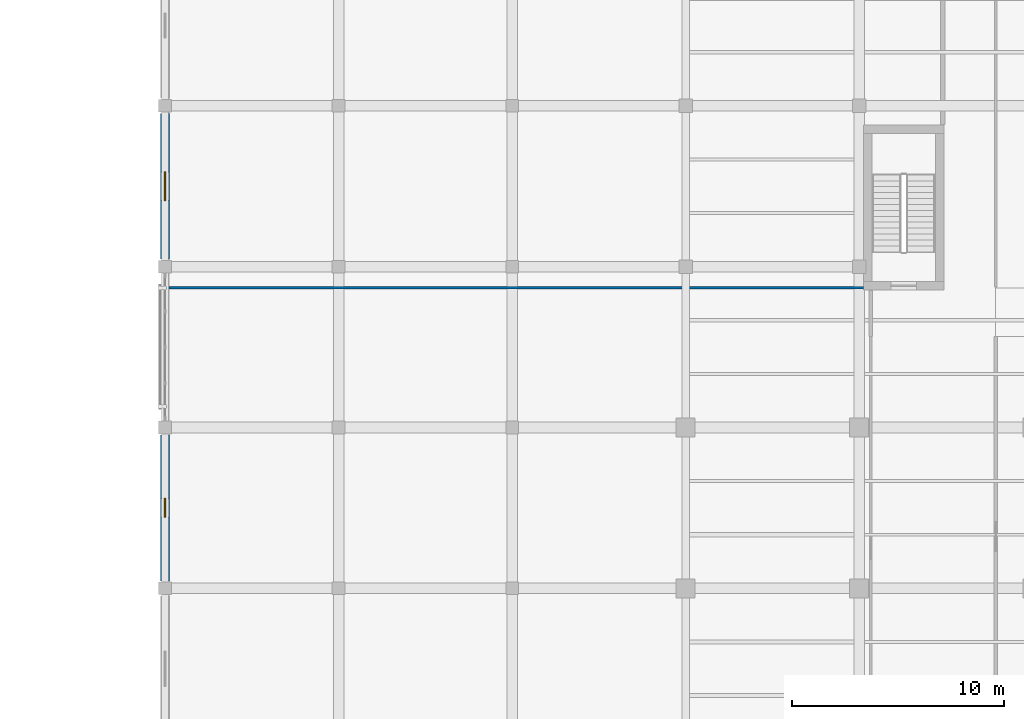
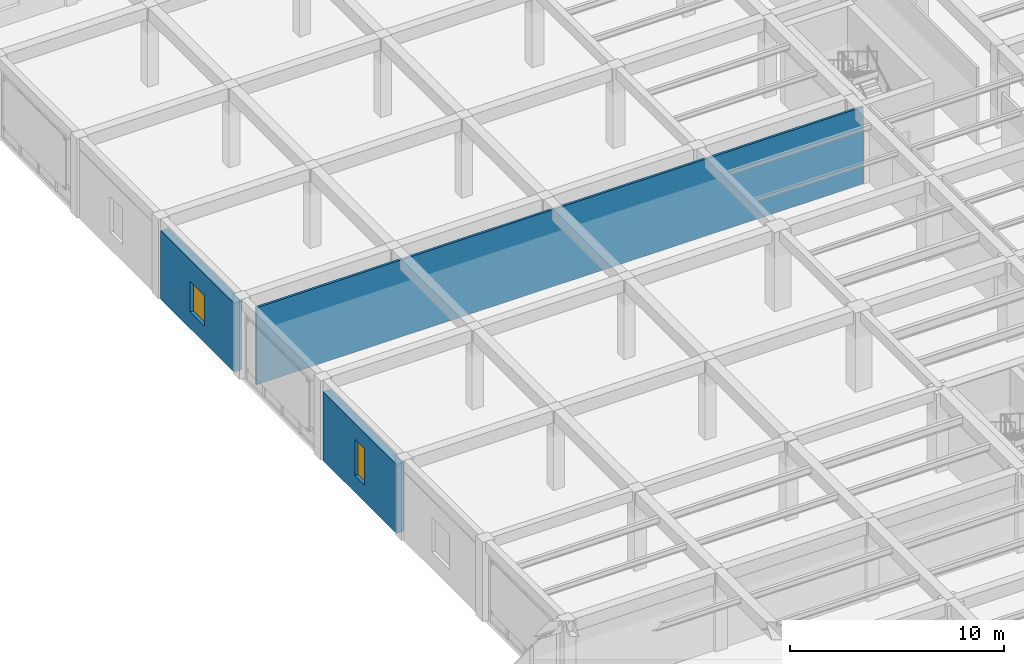
# One storey, part 36 of 49: 3 walls, 2 windows, 2 openings.
"""IFC4 building model written with IfcOpenShell, lengths in metres."""

from ifc_helpers import new_model, si_unit, direction, frame, frame_2d, origin, place, context, subcontext, project, spatial, rectangle, extrude, material, layer, layer_set, type_object, element, fill, save


model = new_model("IFC4")

# Units and contexts
model_context = context("Model", 3, precision=1e-05, world=origin(), true_north=direction((0.0, 1.0)))
body_context = subcontext(model_context, "Body", "Model", "MODEL_VIEW")
ifc_project = project(units=[si_unit("LENGTHUNIT", "METRE"), si_unit("AREAUNIT", "SQUARE_METRE"), si_unit("VOLUMEUNIT", "CUBIC_METRE"), si_unit("PLANEANGLEUNIT", "RADIAN"), si_unit("MASSUNIT", "GRAM", prefix="KILO")], contexts=[model_context])

# Site, building, storey
site_placement = place(None, origin())
site = spatial("IfcSite", under=ifc_project, at=site_placement, CompositionType="ELEMENT")
building_placement = place(site_placement, origin())
building = spatial("IfcBuilding", under=site, at=building_placement, Name="Qandaris Square Conservatory and Botanical Centre", CompositionType="ELEMENT")
storey_placement = place(building_placement, frame((0.0, 0.0, 10.199951171875)))
storey = spatial("IfcBuildingStorey", under=building, at=storey_placement, Name="L02", CompositionType="ELEMENT", Elevation=10.199951171875)

# Wall, opening, window
ifc_material_1 = material(Name="Concrete C40/50", Category="concrete")
ifc_layer_1 = layer(ifc_material_1, 0.419921875)
ifc_layer_set_1 = layer_set([ifc_layer_1], Name="Concrete C40/50")
wall_type_1 = type_object("IfcWallType", Name="Insulated Qatari Limestone Cavity Wall 420mm", PredefinedType="SOLIDWALL", material=ifc_layer_set_1)
wall_1_placement = place(storey_placement, frame((114.60009765625, 77.0400390625, 0.0), z_axis=(0.0, 0.0, 1.0), x_axis=(0.0, -1.0, 0.0)))
wall_1 = element("IfcWall", 1, at=wall_1_placement, inside=storey, type_object=wall_type_1, Name="Exterior Wall EW-TWR-L02-4-4", PredefinedType="SOLIDWALL", context=body_context, shape_type="SweptSolid", body=[
    extrude(rectangle(XDim=6.880126953125, YDim=0.419921875, at=frame_2d((3.43994140625, 0.0))), origin(), (0.0, 0.0, 1.0), 3.929931640625),
])
opening_1_placement = place(wall_1_placement, frame((2.764892578125, 0.0, 0.949951171875)))
opening_1 = element("IfcOpeningElement", 2, at=opening_1_placement, cuts=wall_1, Name="Opening WN-23", PredefinedType="OPENING", context=body_context, shape_type="SweptSolid", body=[
    extrude(rectangle(XDim=1.35009765625, YDim=1.75, at=frame_2d((0.675048828125, 0.875))), frame((0.0, 0.221923828125, 0.0), z_axis=(0.0, -1.0, 0.0), x_axis=(1.0, 0.0, 0.0)), (0.0, 0.0, 1.0), 0.44384765625),
])
ifc_material_2 = material(Name="Tempered Low-E Glass", Category="glass")
window_type_1 = type_object("IfcWindowType", Name="Solar Control Window 1350x1750", PartitioningType="SINGLE_PANEL", PredefinedType="WINDOW", material=ifc_material_2)
window_1_placement = place(opening_1_placement, origin())
window_1 = element("IfcWindow", 3, at=window_1_placement, inside=storey, type_object=window_type_1, Name="Window EW-TWR-L02-4-4", OverallHeight=1.75, OverallWidth=1.35009765625, PartitioningType="SINGLE_PANEL", PredefinedType="WINDOW", context=body_context, shape_type="SweptSolid", body=[
    extrude(rectangle(XDim=1.35009765625, YDim=1.75, at=frame_2d((0.675048828125, 0.875))), frame((0.0, 0.030029296875, 0.0), z_axis=(0.0, -1.0, 0.0), x_axis=(1.0, 0.0, 0.0)), (0.0, 0.0, 1.0), 0.06005859375),
])
fill(opening_1, window_1)

wall_2_placement = place(storey_placement, frame((114.60009765625, 61.840087890625, 0.0), z_axis=(0.0, 0.0, 1.0), x_axis=(0.0, -1.0, 0.0)))
wall_2 = element("IfcWall", 4, at=wall_2_placement, inside=storey, type_object=wall_type_1, Name="Exterior Wall EW-TWR-L02-4-6", PredefinedType="SOLIDWALL", context=body_context, shape_type="SweptSolid", body=[
    extrude(rectangle(XDim=6.880126953125, YDim=0.419921875, at=frame_2d((3.43994140625, 0.0))), origin(), (0.0, 0.0, 1.0), 3.929931640625),
])
opening_2_placement = place(wall_2_placement, frame((2.989990234375, 0.0, 0.949951171875)))
opening_2 = element("IfcOpeningElement", 5, at=opening_2_placement, cuts=wall_2, Name="Opening WN-01", PredefinedType="OPENING", context=body_context, shape_type="SweptSolid", body=[
    extrude(rectangle(XDim=0.89990234375, YDim=2.10009765625, at=frame_2d((0.449951171875, 1.050048828125))), frame((0.0, 0.221923828125, 0.0), z_axis=(0.0, -1.0, 0.0), x_axis=(1.0, 0.0, 0.0)), (0.0, 0.0, 1.0), 0.44384765625),
])
window_type_2 = type_object("IfcWindowType", Name="Deep-Set Solar Slot Window 900x2100", PartitioningType="SINGLE_PANEL", PredefinedType="WINDOW", material=ifc_material_2)
window_2_placement = place(opening_2_placement, origin())
window_2 = element("IfcWindow", 6, at=window_2_placement, inside=storey, type_object=window_type_2, Name="Window EW-TWR-L02-4-6", OverallHeight=2.10009765625, OverallWidth=0.89990234375, PartitioningType="SINGLE_PANEL", PredefinedType="WINDOW", context=body_context, shape_type="SweptSolid", body=[
    extrude(rectangle(XDim=0.89990234375, YDim=2.10009765625, at=frame_2d((0.449951171875, 1.050048828125))), frame((0.0, 0.030029296875, 0.0), z_axis=(0.0, -1.0, 0.0), x_axis=(1.0, 0.0, 0.0)), (0.0, 0.0, 1.0), 0.06005859375),
])
fill(opening_2, window_2)

# Wall
ifc_material_3 = material(Name="Gypsum Plasterboard", Category="gypsum")
ifc_layer_2 = layer(ifc_material_3, 0.1201171875)
ifc_layer_set_2 = layer_set([ifc_layer_2], Name="Gypsum Plasterboard")
wall_type_2 = type_object("IfcWallType", Name="Standard Research Partition 120mm", PredefinedType="PARTITIONING", material=ifc_layer_set_2)
wall_3_placement = place(storey_placement, frame((114.780029296875, 68.800048828125, 0.0), z_axis=(0.0, 0.0, 1.0), x_axis=(1.0, 0.0, 0.0)))
element("IfcWall", 7, at=wall_3_placement, inside=storey, type_object=wall_type_2, Name="Interior Partition IW-L02-0163", PredefinedType="PARTITIONING", context=body_context, shape_type="SweptSolid", body=[
    extrude(rectangle(XDim=32.820068359375, YDim=0.1201171875, at=frame_2d((16.41015625, 0.0))), origin(), (0.0, 0.0, 1.0), 4.405029296875),
])

save(model, "model.ifc")
